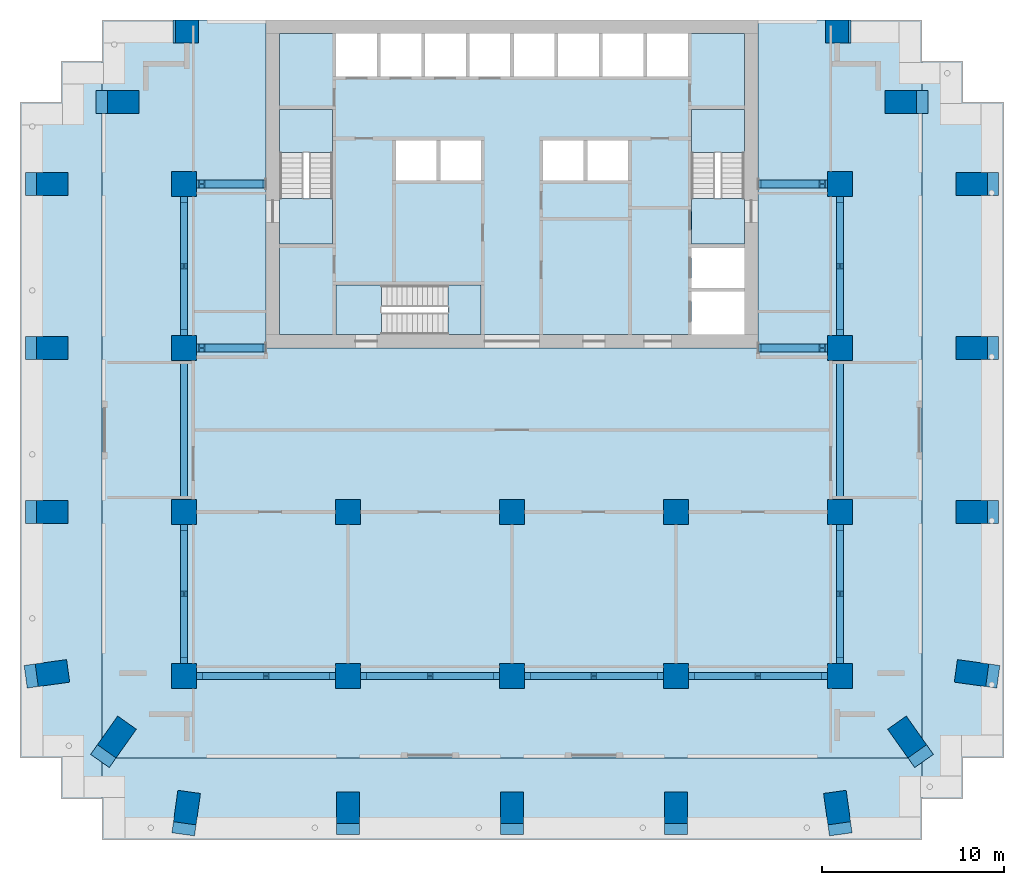
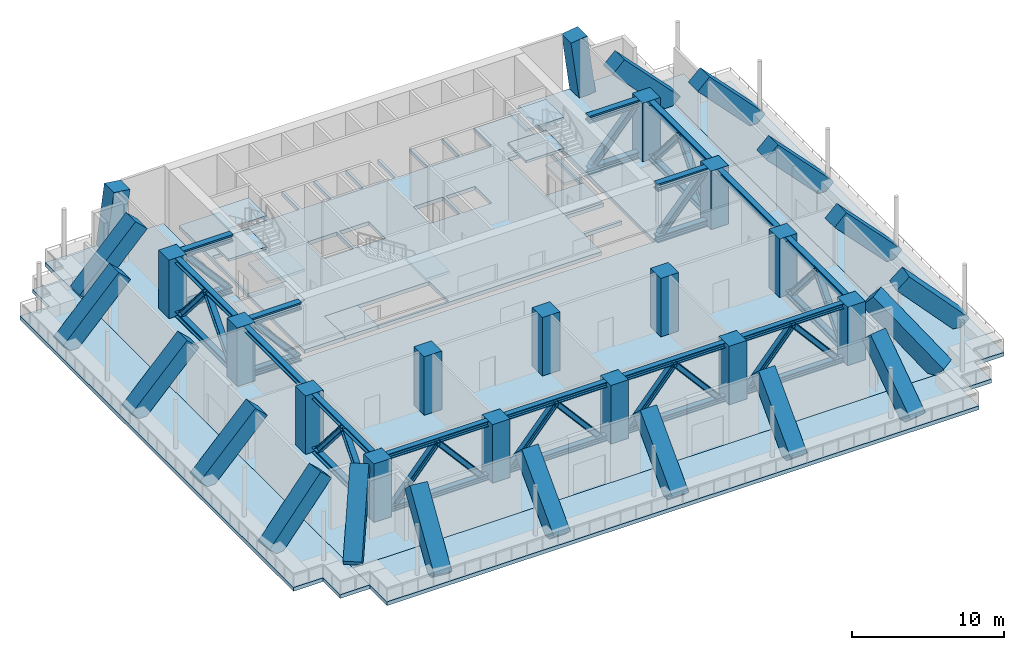
# One storey, part 1 of 9: 46 members, 33 columns, 15 slabs, 3 elements without a shape of their own.
"""IFC4 building model written with IfcOpenShell, lengths in metres."""

from ifc_helpers import new_model, si_unit, direction, frame, origin, origin_2d, place, context, subcontext, project, spatial, polyline, rectangle, i_section, outline, extrude, material, layer, layer_set, material_profile, profile_set, type_object, element, aggregate, save


model = new_model("IFC4")

# Units and contexts
model_context = context("Model", 3, precision=1e-05, world=origin(), true_north=direction((0.0, 1.0)))
body_context = subcontext(model_context, "Body", "Model", "MODEL_VIEW")
ifc_project = project(units=[si_unit("LENGTHUNIT", "METRE"), si_unit("AREAUNIT", "SQUARE_METRE"), si_unit("VOLUMEUNIT", "CUBIC_METRE"), si_unit("PLANEANGLEUNIT", "RADIAN"), si_unit("MASSUNIT", "GRAM", prefix="KILO")], contexts=[model_context])

# Site, building, storey
site_placement = place(None, origin())
site = spatial("IfcSite", under=ifc_project, at=site_placement, CompositionType="ELEMENT")
building_placement = place(site_placement, origin())
building = spatial("IfcBuilding", under=site, at=building_placement, Name="Orbiselva Terraces", CompositionType="ELEMENT")
storey_placement = place(building_placement, frame((0.0, 0.0, 115.0)))
storey = spatial("IfcBuildingStorey", under=building, at=storey_placement, Name="L29", CompositionType="ELEMENT", Elevation=115.0)

# Columns
ifc_material_1 = material(Name="Concrete C70/85", Category="concrete")
ifc_material_profile_1 = material_profile(ifc_material_1, rectangle(XDim=1.35, YDim=1.35, at=origin_2d()), Name="RC 1350x1350")
ifc_profile_set_1 = profile_set([ifc_material_profile_1], Name="Concrete C70/85")
column_type_1 = type_object("IfcColumnType", Name="COLUMN RC 1350x1350", PredefinedType="COLUMN", material=ifc_profile_set_1)
for number, where, z_axis, x_axis, name in (
    (1, (-18.0, -13.5, 0.0), (0.0, 0.0, 1.0), (1.0, 0.0, 0.0), "Column L29-01"),
    (2, (-18.0, -4.5, 0.0), (0.0, 0.0, 1.0), (1.0, 0.0, 0.0), "Column L29-03"),
    (3, (-18.0, 13.5, 0.0), (0.0, 0.0, 1.0), (1.0, 0.0, 0.0), "Column L29-04"),
    (4, (-18.0, 4.5, 0.0), (0.0, 0.0, 1.0), (1.0, 0.0, 0.0), "Column L29-06"),
    (5, (-9.0, -13.5, 0.0), (0.0, 0.0, 1.0), (1.0, 0.0, 0.0), "Column L29-13"),
    (6, (-9.0, -4.5, 0.0), (0.0, 0.0, 1.0), (1.0, 0.0, 0.0), "Column L29-15"),
    (7, (0.0, -13.5, 0.0), (0.0, 0.0, 1.0), (1.0, 0.0, 0.0), "Column L29-16"),
    (8, (0.0, -4.5, 0.0), (0.0, 0.0, 1.0), (1.0, 0.0, 0.0), "Column L29-18"),
    (9, (18.0, -13.5, 0.0), (0.0, 0.0, 1.0), (1.0, 0.0, 0.0), "Column L29-19"),
    (10, (18.0, -4.5, 0.0), (0.0, 0.0, 1.0), (1.0, 0.0, 0.0), "Column L29-21"),
    (11, (18.0, 13.5, 0.0), (0.0, 0.0, 1.0), (1.0, 0.0, 0.0), "Column L29-22"),
    (12, (18.0, 4.5, 0.0), (0.0, 0.0, 1.0), (1.0, 0.0, 0.0), "Column L29-24"),
    (13, (9.0, -13.5, 0.0), (0.0, 0.0, 1.0), (1.0, 0.0, 0.0), "Column L29-31"),
    (14, (9.0, -4.5, 0.0), (0.0, 0.0, 1.0), (1.0, 0.0, 0.0), "Column L29-33"),
):
    element("IfcColumn", number, at=place(storey_placement, frame(where, z_axis=z_axis, x_axis=x_axis)), inside=storey, type_object=column_type_1, Name=name, PredefinedType="COLUMN", context=body_context, shape_type="SweptSolid", body=[
        extrude(rectangle(XDim=1.35, YDim=1.35, at=origin_2d()), origin(), (0.0, 0.0, 1.0), 4.7),
    ])
ifc_material_2 = material(Name="Concrete C60/75", Category="concrete")
ifc_material_profile_2 = material_profile(ifc_material_2, rectangle(XDim=1.25, YDim=1.25, at=origin_2d()), Name="RC 1250x1250")
ifc_profile_set_2 = profile_set([ifc_material_profile_2], Name="Concrete C60/75")
column_type_2 = type_object("IfcColumnType", Name="INCLINED COLUMN RC 1250x1250", PredefinedType="COLUMN", material=ifc_profile_set_2)
column_1_placement = place(storey_placement, frame((-17.98213, -21.746336, 0.134382), z_axis=(0.095611549007, 0.688403152847, 0.718998978335), x_axis=(-0.990492273178, 0.137568371275, 0.0)))
element("IfcColumn", 15, at=column_1_placement, inside=storey, type_object=column_type_2, Name="Inclined column L29-02", PredefinedType="COLUMN", context=body_context, shape_type="SweptSolid", body=[
    extrude(rectangle(XDim=1.25, YDim=1.25, at=origin_2d()), origin(), (0.0, 0.0, 1.0), 6.163063),
])
column_2_placement = place(storey_placement, frame((-18.0, 21.875, 0.0), z_axis=(0.131818336514, 0.0, 0.991273890587), x_axis=(0.0, 1.0, 0.0)))
element("IfcColumn", 16, at=column_2_placement, inside=storey, type_object=column_type_2, Name="Inclined column L29-05", PredefinedType="COLUMN", context=body_context, shape_type="SweptSolid", body=[
    extrude(rectangle(XDim=1.25, YDim=1.25, at=origin_2d()), origin(), (0.0, 0.0, 1.0), 4.741374),
])
column_3_placement = place(storey_placement, frame((-26.246336, -13.48213, 0.134382), z_axis=(0.688403152847, 0.095611549007, 0.718998978335), x_axis=(-0.137568371275, 0.990492273178, 0.0)))
element("IfcColumn", 17, at=column_3_placement, inside=storey, type_object=column_type_2, Name="Inclined column L29-07", PredefinedType="COLUMN", context=body_context, shape_type="SweptSolid", body=[
    extrude(rectangle(XDim=1.25, YDim=1.25, at=origin_2d()), origin(), (0.0, 0.0, 1.0), 6.163063),
])
column_4_placement = place(storey_placement, frame((-22.381246, -17.831953, 0.175516), z_axis=(0.439080622115, 0.62134083522, 0.648955910499), x_axis=(-0.816666126505, 0.57711042082, 0.0)))
element("IfcColumn", 18, at=column_4_placement, inside=storey, type_object=column_type_2, Name="Inclined column L29-08", PredefinedType="COLUMN", context=body_context, shape_type="SweptSolid", body=[
    extrude(rectangle(XDim=1.25, YDim=1.25, at=origin_2d()), origin(), (0.0, 0.0, 1.0), 6.701485),
])
for number, where, z_axis, x_axis, name in (
    (19, (-26.248395, -4.5, 0.132232), (0.691571517203, 0.0, 0.722307992891), (0.0, 1.0, 0.0), "Inclined column L29-09"),
    (20, (-26.248395, 13.5, 0.132232), (0.691571517203, 0.0, 0.722307992891), (0.0, 1.0, 0.0), "Inclined column L29-10"),
    (21, (-22.373395, 18.0, 0.132232), (0.691571517203, 0.0, 0.722307992891), (0.0, 1.0, 0.0), "Inclined column L29-11"),
    (22, (-26.248395, 4.5, 0.132232), (0.691571517203, 0.0, 0.722307992891), (0.0, 1.0, 0.0), "Inclined column L29-12"),
    (23, (-9.0, -21.748395, 0.132232), (0.0, 0.691571517203, 0.722307992891), (-1.0, 0.0, 0.0), "Inclined column L29-14"),
    (24, (0.0, -21.748395, 0.132232), (0.0, 0.691571517203, 0.722307992891), (-1.0, 0.0, 0.0), "Inclined column L29-17"),
):
    element("IfcColumn", number, at=place(storey_placement, frame(where, z_axis=z_axis, x_axis=x_axis)), inside=storey, type_object=column_type_2, Name=name, PredefinedType="COLUMN", context=body_context, shape_type="SweptSolid", body=[
        extrude(rectangle(XDim=1.25, YDim=1.25, at=origin_2d()), origin(), (0.0, 0.0, 1.0), 6.140782),
    ])
column_5_placement = place(storey_placement, frame((17.98213, -21.746336, 0.134382), z_axis=(-0.095611549007, 0.688403152847, 0.718998978335), x_axis=(-0.990492273178, -0.137568371275, 0.0)))
element("IfcColumn", 25, at=column_5_placement, inside=storey, type_object=column_type_2, Name="Inclined column L29-20", PredefinedType="COLUMN", context=body_context, shape_type="SweptSolid", body=[
    extrude(rectangle(XDim=1.25, YDim=1.25, at=origin_2d()), origin(), (0.0, 0.0, 1.0), 6.163063),
])
column_6_placement = place(storey_placement, frame((18.0, 21.875, 0.0), z_axis=(-0.131818336514, 0.0, 0.991273890587), x_axis=(0.0, -1.0, 0.0)))
element("IfcColumn", 26, at=column_6_placement, inside=storey, type_object=column_type_2, Name="Inclined column L29-23", PredefinedType="COLUMN", context=body_context, shape_type="SweptSolid", body=[
    extrude(rectangle(XDim=1.25, YDim=1.25, at=origin_2d()), origin(), (0.0, 0.0, 1.0), 4.741374),
])
column_7_placement = place(storey_placement, frame((26.246336, -13.48213, 0.134382), z_axis=(-0.688403152847, 0.095611549007, 0.718998978335), x_axis=(-0.137568371275, -0.990492273178, 0.0)))
element("IfcColumn", 27, at=column_7_placement, inside=storey, type_object=column_type_2, Name="Inclined column L29-25", PredefinedType="COLUMN", context=body_context, shape_type="SweptSolid", body=[
    extrude(rectangle(XDim=1.25, YDim=1.25, at=origin_2d()), origin(), (0.0, 0.0, 1.0), 6.163063),
])
column_8_placement = place(storey_placement, frame((22.381246, -17.831953, 0.175516), z_axis=(-0.439080622115, 0.62134083522, 0.648955910499), x_axis=(-0.816666126505, -0.57711042082, 0.0)))
element("IfcColumn", 28, at=column_8_placement, inside=storey, type_object=column_type_2, Name="Inclined column L29-26", PredefinedType="COLUMN", context=body_context, shape_type="SweptSolid", body=[
    extrude(rectangle(XDim=1.25, YDim=1.25, at=origin_2d()), origin(), (0.0, 0.0, 1.0), 6.701485),
])
for number, where, z_axis, x_axis, name in (
    (29, (26.248395, -4.5, 0.132232), (-0.691571517203, 0.0, 0.722307992891), (0.0, -1.0, 0.0), "Inclined column L29-27"),
    (30, (26.248395, 13.5, 0.132232), (-0.691571517203, 0.0, 0.722307992891), (0.0, -1.0, 0.0), "Inclined column L29-28"),
    (31, (22.373395, 18.0, 0.132232), (-0.691571517203, 0.0, 0.722307992891), (0.0, -1.0, 0.0), "Inclined column L29-29"),
    (32, (26.248395, 4.5, 0.132232), (-0.691571517203, 0.0, 0.722307992891), (0.0, -1.0, 0.0), "Inclined column L29-30"),
    (33, (9.0, -21.748395, 0.132232), (0.0, 0.691571517203, 0.722307992891), (-1.0, 0.0, 0.0), "Inclined column L29-32"),
):
    element("IfcColumn", number, at=place(storey_placement, frame(where, z_axis=z_axis, x_axis=x_axis)), inside=storey, type_object=column_type_2, Name=name, PredefinedType="COLUMN", context=body_context, shape_type="SweptSolid", body=[
        extrude(rectangle(XDim=1.25, YDim=1.25, at=origin_2d()), origin(), (0.0, 0.0, 1.0), 6.140782),
    ])

# Members
ifc_material_3 = material(Name="Steel ASTM A992 Grade 50", Category="steel")
ifc_material_profile_3 = material_profile(ifc_material_3, i_section(OverallWidth=0.406, OverallDepth=0.417, WebThickness=0.03, FlangeThickness=0.048, FilletRadius=0.0152, at=origin_2d()), Name="W360X382")
ifc_profile_set_3 = profile_set([ifc_material_profile_3], Name="Steel ASTM A992 Grade 50")
member_type_1 = type_object("IfcMemberType", Name="BELT TRUSS CHORD W360X382", PredefinedType="CHORD", material=ifc_profile_set_3)
for number, where, z_axis, x_axis, name in (
    (34, (-17.325, -13.5, 0.2085), (1.0, 0.0, 0.0), (0.0, 1.0, 0.0), "Belt truss L29 south span 1 bottom chord"),
    (35, (-17.325, -13.5, 4.4915), (1.0, 0.0, 0.0), (0.0, 1.0, 0.0), "Belt truss L29 south span 1 top chord"),
    (36, (-8.325, -13.5, 0.2085), (1.0, 0.0, 0.0), (0.0, 1.0, 0.0), "Belt truss L29 south span 2 bottom chord"),
    (37, (-8.325, -13.5, 4.4915), (1.0, 0.0, 0.0), (0.0, 1.0, 0.0), "Belt truss L29 south span 2 top chord"),
    (38, (0.675, -13.5, 0.2085), (1.0, 0.0, 0.0), (0.0, 1.0, 0.0), "Belt truss L29 south span 3 bottom chord"),
    (39, (0.675, -13.5, 4.4915), (1.0, 0.0, 0.0), (0.0, 1.0, 0.0), "Belt truss L29 south span 3 top chord"),
    (40, (9.675, -13.5, 0.2085), (1.0, 0.0, 0.0), (0.0, 1.0, 0.0), "Belt truss L29 south span 4 bottom chord"),
    (41, (9.675, -13.5, 4.4915), (1.0, 0.0, 0.0), (0.0, 1.0, 0.0), "Belt truss L29 south span 4 top chord"),
    (42, (-18.0, -12.825, 0.2085), (0.0, 1.0, 0.0), (-1.0, 0.0, 0.0), "Belt truss L29 west span 1 bottom chord"),
    (43, (-18.0, -12.825, 4.4915), (0.0, 1.0, 0.0), (-1.0, 0.0, 0.0), "Belt truss L29 west span 1 top chord"),
    (44, (-18.0, -3.825, 4.4915), (0.0, 1.0, 0.0), (-1.0, 0.0, 0.0), "Belt truss L29 west span 2 top chord"),
    (45, (-18.0, 5.175, 0.2085), (0.0, 1.0, 0.0), (-1.0, 0.0, 0.0), "Belt truss L29 west span 3 bottom chord"),
    (46, (-18.0, 5.175, 4.4915), (0.0, 1.0, 0.0), (-1.0, 0.0, 0.0), "Belt truss L29 west span 3 top chord"),
    (47, (18.0, -12.825, 0.2085), (0.0, 1.0, 0.0), (-1.0, 0.0, 0.0), "Belt truss L29 east span 1 bottom chord"),
    (48, (18.0, -12.825, 4.4915), (0.0, 1.0, 0.0), (-1.0, 0.0, 0.0), "Belt truss L29 east span 1 top chord"),
    (49, (18.0, -3.825, 4.4915), (0.0, 1.0, 0.0), (-1.0, 0.0, 0.0), "Belt truss L29 east span 2 top chord"),
    (50, (18.0, 5.175, 0.2085), (0.0, 1.0, 0.0), (-1.0, 0.0, 0.0), "Belt truss L29 east span 3 bottom chord"),
    (51, (18.0, 5.175, 4.4915), (0.0, 1.0, 0.0), (-1.0, 0.0, 0.0), "Belt truss L29 east span 3 top chord"),
):
    element("IfcMember", number, at=place(storey_placement, frame(where, z_axis=z_axis, x_axis=x_axis)), inside=storey, type_object=member_type_1, Name=name, PredefinedType="CHORD", context=body_context, shape_type="SweptSolid", body=[
        extrude(i_section(OverallWidth=0.406, OverallDepth=0.417, WebThickness=0.03, FlangeThickness=0.048, FilletRadius=0.0152, at=origin_2d()), origin(), (0.0, 0.0, 1.0), 7.65),
    ])
ifc_material_profile_4 = material_profile(ifc_material_3, i_section(OverallWidth=0.401, OverallDepth=0.399, WebThickness=0.0249, FlangeThickness=0.0396, FilletRadius=0.0153, at=origin_2d()), Name="W360X314")
ifc_profile_set_4 = profile_set([ifc_material_profile_4], Name="Steel ASTM A992 Grade 50")
member_type_2 = type_object("IfcMemberType", Name="BELT TRUSS DIAGONAL W360X314", PredefinedType="BRACE", material=ifc_profile_set_4)
for number, where, z_axis, x_axis, name in (
    (52, (-16.825, -13.5, 0.417), (0.652066324312, 0.0, 0.758161927756), (0.0, 1.0, 0.0), "Belt truss L29 south span 1 diagonal 1"),
    (53, (-13.5, -13.5, 4.283), (0.652066324312, 0.0, -0.758161927756), (0.0, 1.0, 0.0), "Belt truss L29 south span 1 diagonal 2"),
    (54, (-7.825, -13.5, 0.417), (0.652066324312, 0.0, 0.758161927756), (0.0, 1.0, 0.0), "Belt truss L29 south span 2 diagonal 1"),
    (55, (-4.5, -13.5, 4.283), (0.652066324312, 0.0, -0.758161927756), (0.0, 1.0, 0.0), "Belt truss L29 south span 2 diagonal 2"),
    (56, (1.175, -13.5, 0.417), (0.652066324312, 0.0, 0.758161927756), (0.0, 1.0, 0.0), "Belt truss L29 south span 3 diagonal 1"),
    (57, (4.5, -13.5, 4.283), (0.652066324312, 0.0, -0.758161927756), (0.0, 1.0, 0.0), "Belt truss L29 south span 3 diagonal 2"),
    (58, (10.175, -13.5, 0.417), (0.652066324312, 0.0, 0.758161927756), (0.0, 1.0, 0.0), "Belt truss L29 south span 4 diagonal 1"),
    (59, (13.5, -13.5, 4.283), (0.652066324312, 0.0, -0.758161927756), (0.0, 1.0, 0.0), "Belt truss L29 south span 4 diagonal 2"),
    (60, (-18.0, -12.325, 0.417), (0.0, 0.652066324312, 0.758161927756), (-1.0, 0.0, 0.0), "Belt truss L29 west span 1 diagonal 1"),
    (61, (-18.0, -9.0, 4.283), (0.0, 0.652066324312, -0.758161927756), (-1.0, 0.0, 0.0), "Belt truss L29 west span 1 diagonal 2"),
    (62, (-18.0, 5.675, 0.417), (0.0, 0.652066324312, 0.758161927756), (-1.0, 0.0, 0.0), "Belt truss L29 west span 3 diagonal 1"),
    (63, (-18.0, 9.0, 4.283), (0.0, 0.652066324312, -0.758161927756), (-1.0, 0.0, 0.0), "Belt truss L29 west span 3 diagonal 2"),
    (64, (18.0, -12.325, 0.417), (0.0, 0.652066324312, 0.758161927756), (-1.0, 0.0, 0.0), "Belt truss L29 east span 1 diagonal 1"),
    (65, (18.0, -9.0, 4.283), (0.0, 0.652066324312, -0.758161927756), (-1.0, 0.0, 0.0), "Belt truss L29 east span 1 diagonal 2"),
    (66, (18.0, 5.675, 0.417), (0.0, 0.652066324312, 0.758161927756), (-1.0, 0.0, 0.0), "Belt truss L29 east span 3 diagonal 1"),
    (67, (18.0, 9.0, 4.283), (0.0, 0.652066324312, -0.758161927756), (-1.0, 0.0, 0.0), "Belt truss L29 east span 3 diagonal 2"),
):
    element("IfcMember", number, at=place(storey_placement, frame(where, z_axis=z_axis, x_axis=x_axis)), inside=storey, type_object=member_type_2, Name=name, PredefinedType="BRACE", context=body_context, shape_type="SweptSolid", body=[
        extrude(i_section(OverallWidth=0.401, OverallDepth=0.399, WebThickness=0.0249, FlangeThickness=0.0396, FilletRadius=0.0153, at=origin_2d()), origin(), (0.0, 0.0, 1.0), 5.099175),
    ])
ifc_material_profile_5 = material_profile(ifc_material_3, i_section(OverallWidth=0.455, OverallDepth=0.569, WebThickness=0.078, FlangeThickness=0.125, FilletRadius=0.015, at=origin_2d()), Name="W360X1086")
ifc_profile_set_5 = profile_set([ifc_material_profile_5], Name="Steel ASTM A992 Grade 50")
member_type_3 = type_object("IfcMemberType", Name="OUTRIGGER CHORD W360X1086", PredefinedType="CHORD", material=ifc_profile_set_5)
for number, where, z_axis, x_axis, name in (
    (68, (-13.53, 4.5, 4.4155), (-1.0, 0.0, 0.0), (0.0, -1.0, 0.0), "Outrigger truss L29 west grid E top chord"),
    (69, (-13.53, 13.5, 4.4155), (-1.0, 0.0, 0.0), (0.0, -1.0, 0.0), "Outrigger truss L29 west grid F top chord"),
    (70, (13.53, 4.5, 4.4155), (1.0, 0.0, 0.0), (0.0, 1.0, 0.0), "Outrigger truss L29 east grid E top chord"),
    (71, (13.53, 13.5, 4.4155), (1.0, 0.0, 0.0), (0.0, 1.0, 0.0), "Outrigger truss L29 east grid F top chord"),
):
    element("IfcMember", number, at=place(storey_placement, frame(where, z_axis=z_axis, x_axis=x_axis)), inside=storey, type_object=member_type_3, Name=name, PredefinedType="CHORD", context=body_context, shape_type="SweptSolid", body=[
        extrude(i_section(OverallWidth=0.455, OverallDepth=0.569, WebThickness=0.078, FlangeThickness=0.125, FilletRadius=0.015, at=origin_2d()), origin(), (0.0, 0.0, 1.0), 3.795),
    ])
ifc_material_profile_6 = material_profile(ifc_material_3, i_section(OverallWidth=0.432, OverallDepth=0.498, WebThickness=0.0556, FlangeThickness=0.0889, FilletRadius=0.0151, at=origin_2d()), Name="W360X744")
ifc_profile_set_6 = profile_set([ifc_material_profile_6], Name="Steel ASTM A992 Grade 50")
member_type_4 = type_object("IfcMemberType", Name="OUTRIGGER CHORD W360X744", PredefinedType="CHORD", material=ifc_profile_set_6)
for number, where, z_axis, x_axis, name in (
    (72, (-13.53, 4.5, 0.249), (-1.0, 0.0, 0.0), (0.0, -1.0, 0.0), "Outrigger truss L29 west grid E bottom chord"),
    (73, (-13.53, 13.5, 0.249), (-1.0, 0.0, 0.0), (0.0, -1.0, 0.0), "Outrigger truss L29 west grid F bottom chord"),
    (74, (13.53, 4.5, 0.249), (1.0, 0.0, 0.0), (0.0, 1.0, 0.0), "Outrigger truss L29 east grid E bottom chord"),
    (75, (13.53, 13.5, 0.249), (1.0, 0.0, 0.0), (0.0, 1.0, 0.0), "Outrigger truss L29 east grid F bottom chord"),
):
    element("IfcMember", number, at=place(storey_placement, frame(where, z_axis=z_axis, x_axis=x_axis)), inside=storey, type_object=member_type_4, Name=name, PredefinedType="CHORD", context=body_context, shape_type="SweptSolid", body=[
        extrude(i_section(OverallWidth=0.432, OverallDepth=0.498, WebThickness=0.0556, FlangeThickness=0.0889, FilletRadius=0.0151, at=origin_2d()), origin(), (0.0, 0.0, 1.0), 3.795),
    ])
ifc_material_profile_7 = material_profile(ifc_material_3, i_section(OverallWidth=0.422, OverallDepth=0.465, WebThickness=0.045, FlangeThickness=0.0724, FilletRadius=0.015, at=origin_2d()), Name="W360X592")
ifc_profile_set_7 = profile_set([ifc_material_profile_7], Name="Steel ASTM A992 Grade 50")
member_type_5 = type_object("IfcMemberType", Name="OUTRIGGER DIAGONAL W360X592", PredefinedType="BRACE", material=ifc_profile_set_7)
for number, where, z_axis, x_axis, name in (
    (76, (-13.8336, 4.5, 0.498), (-0.659549814523, 0.0, 0.751660855814), (0.0, -1.0, 0.0), "Outrigger truss L29 west grid E diagonal 1"),
    (77, (-13.8336, 13.5, 0.498), (-0.659549814523, 0.0, 0.751660855814), (0.0, -1.0, 0.0), "Outrigger truss L29 west grid F diagonal 1"),
    (78, (13.8336, 4.5, 0.498), (0.659549814523, 0.0, 0.751660855814), (0.0, 1.0, 0.0), "Outrigger truss L29 east grid E diagonal 1"),
    (79, (13.8336, 13.5, 0.498), (0.659549814523, 0.0, 0.751660855814), (0.0, 1.0, 0.0), "Outrigger truss L29 east grid F diagonal 1"),
):
    element("IfcMember", number, at=place(storey_placement, frame(where, z_axis=z_axis, x_axis=x_axis)), inside=storey, type_object=member_type_5, Name=name, PredefinedType="BRACE", context=body_context, shape_type="SweptSolid", body=[
        extrude(i_section(OverallWidth=0.422, OverallDepth=0.465, WebThickness=0.045, FlangeThickness=0.0724, FilletRadius=0.015, at=origin_2d()), origin(), (0.0, 0.0, 1.0), 4.833297),
    ])

# Slabs
ifc_material_4 = material(Name="Concrete C40/50", Category="concrete")
ifc_layer_1 = layer(ifc_material_4, 0.3)
ifc_layer_set_1 = layer_set([ifc_layer_1], Name="Concrete C40/50")
slab_type_1 = type_object("IfcSlabType", Name="CORE-SLAB-FLOOR-300", PredefinedType="FLOOR", material=ifc_layer_set_1)
slab_1_placement = place(storey_placement, frame((0.0, 0.0, -0.3)))
element("IfcSlab", 80, at=slab_1_placement, inside=storey, type_object=slab_type_1, Name="L29 S1 floor landing", PredefinedType="FLOOR", context=body_context, shape_type="SweptSolid", body=[
    extrude(outline(polyline([(-12.75, 12.7), (-9.85, 12.7), (-9.85, 10.2), (-12.75, 10.2), (-12.75, 12.7)])), origin(), (0.0, 0.0, 1.0), 0.3),
])
slab_2_placement = place(storey_placement, frame((0.0, 0.0, -0.3)))
element("IfcSlab", 81, at=slab_2_placement, inside=storey, type_object=slab_type_1, Name="L29 S2 floor landing", PredefinedType="FLOOR", context=body_context, shape_type="SweptSolid", body=[
    extrude(outline(polyline([(12.75, 10.2), (9.85, 10.2), (9.85, 12.7), (12.75, 12.7), (12.75, 10.2)])), origin(), (0.0, 0.0, 1.0), 0.3),
])
slab_3_placement = place(storey_placement, frame((0.0, 0.0, -0.3)))
element("IfcSlab", 82, at=slab_3_placement, inside=storey, type_object=slab_type_1, Name="L29 S3 floor landing", PredefinedType="FLOOR", context=body_context, shape_type="SweptSolid", body=[
    extrude(outline(polyline([(-9.65, 5.25), (-9.65, 7.95), (-7.15, 7.95), (-7.15, 5.25), (-9.65, 5.25)])), origin(), (0.0, 0.0, 1.0), 0.3),
])
slab_4_placement = place(storey_placement, frame((0.0, 0.0, -0.3)))
element("IfcSlab", 83, at=slab_4_placement, inside=storey, type_object=slab_type_1, Name="L29 core floor slab 1", PredefinedType="FLOOR", context=body_context, shape_type="SweptSolid", body=[
    extrude(outline(polyline([(-7.15, 5.25), (-7.15, 5.4), (-1.7, 5.4), (-1.7, 7.95), (-9.65, 7.95), (-9.65, 5.25), (-12.75, 5.25), (-12.75, 10.2), (-9.85, 10.2), (-9.85, 17.6), (-12.6, 17.6), (-12.6, 12.7), (-12.75, 12.7), (-12.75, 21.75), (-9.65, 21.75), (-9.65, 19.4), (-7.4125, 19.4), (-7.4125, 21.75), (-7.2125, 21.75), (-7.2125, 19.4), (-4.975, 19.4), (-4.975, 21.75), (-4.775, 21.75), (-4.775, 19.4), (-2.5375, 19.4), (-2.5375, 21.75), (-2.3375, 21.75), (-2.3375, 19.4), (-0.1, 19.4), (-0.1, 21.75), (0.1, 21.75), (0.1, 19.4), (2.3375, 19.4), (2.3375, 21.75), (2.5375, 21.75), (2.5375, 19.4), (4.775, 19.4), (4.775, 21.75), (4.975, 21.75), (4.975, 19.4), (7.2125, 19.4), (7.2125, 21.75), (7.4125, 21.75), (7.4125, 19.4), (9.65, 19.4), (9.65, 21.75), (12.75, 21.75), (12.75, 12.7), (12.6, 12.7), (12.6, 17.6), (9.85, 17.6), (9.85, 10.2), (12.75, 10.2), (12.75, 10.0), (9.85, 10.0), (9.85, 7.8), (12.75, 7.8), (12.75, 7.6), (9.85, 7.6), (9.85, 5.25), (-7.15, 5.25)]), holes=[polyline([(-4.1375, 13.7), (-4.1375, 15.9), (-6.375, 15.9), (-6.375, 13.7), (-4.1375, 13.7)]), polyline([(-1.7, 13.7), (-1.7, 15.9), (-3.9375, 15.9), (-3.9375, 13.7), (-1.7, 13.7)]), polyline([(3.9375, 13.7), (3.9375, 15.9), (1.7, 15.9), (1.7, 13.7), (3.9375, 13.7)]), polyline([(6.375, 13.7), (6.375, 15.9), (4.1375, 15.9), (4.1375, 13.7), (6.375, 13.7)])]), origin(), (0.0, 0.0, 1.0), 0.3),
])

# Stair, slabs
stair_type_1 = type_object("IfcStairType", Name="CORE-STAIR-1300", PredefinedType="HALF_TURN_STAIR", material=ifc_material_4)
stair_1_placement = place(storey_placement, origin())
stair_1 = element("IfcStair", 84, at=stair_1_placement, inside=storey, type_object=stair_type_1, Name="L29 Exit Stair S1", PredefinedType="HALF_TURN_STAIR")
ifc_layer_2 = layer(ifc_material_4, 0.2)
ifc_layer_set_2 = layer_set([ifc_layer_2], Name="Concrete C40/50")
slab_type_2 = type_object("IfcSlabType", Name="CORE-STAIR-LANDING-200", PredefinedType="LANDING", material=ifc_layer_set_2)
slab_5_placement = place(storey_placement, frame((0.0, 0.0, 1.05)))
slab_5 = element("IfcSlab", 85, at=slab_5_placement, type_object=slab_type_2, Name="S1 landing 1", PredefinedType="LANDING", context=body_context, shape_type="SweptSolid", body=[
    extrude(outline(polyline([(-9.85, 15.22), (-9.85, 17.6), (-12.75, 17.6), (-12.75, 15.22), (-9.85, 15.22)])), origin(), (0.0, 0.0, 1.0), 0.2),
])
slab_6_placement = place(storey_placement, frame((0.0, 0.0, 2.3)))
slab_6 = element("IfcSlab", 86, at=slab_6_placement, type_object=slab_type_2, Name="S1 landing 2", PredefinedType="LANDING", context=body_context, shape_type="SweptSolid", body=[
    extrude(outline(polyline([(-9.85, 10.2), (-9.85, 12.7), (-12.75, 12.7), (-12.75, 10.2), (-9.85, 10.2)])), origin(), (0.0, 0.0, 1.0), 0.2),
])
slab_7_placement = place(storey_placement, frame((0.0, 0.0, 3.55)))
slab_7 = element("IfcSlab", 87, at=slab_7_placement, type_object=slab_type_2, Name="S1 landing 3", PredefinedType="LANDING", context=body_context, shape_type="SweptSolid", body=[
    extrude(outline(polyline([(-9.85, 15.22), (-9.85, 17.6), (-12.75, 17.6), (-12.75, 15.22), (-9.85, 15.22)])), origin(), (0.0, 0.0, 1.0), 0.2),
])
aggregate(stair_1, [slab_5, slab_6, slab_7])

stair_2_placement = place(storey_placement, origin())
stair_2 = element("IfcStair", 88, at=stair_2_placement, inside=storey, type_object=stair_type_1, Name="L29 Exit Stair S2", PredefinedType="HALF_TURN_STAIR")
slab_8_placement = place(storey_placement, frame((0.0, 0.0, 1.05)))
slab_8 = element("IfcSlab", 89, at=slab_8_placement, type_object=slab_type_2, Name="S2 landing 1", PredefinedType="LANDING", context=body_context, shape_type="SweptSolid", body=[
    extrude(outline(polyline([(12.75, 15.22), (12.75, 17.6), (9.85, 17.6), (9.85, 15.22), (12.75, 15.22)])), origin(), (0.0, 0.0, 1.0), 0.2),
])
slab_9_placement = place(storey_placement, frame((0.0, 0.0, 2.3)))
slab_9 = element("IfcSlab", 90, at=slab_9_placement, type_object=slab_type_2, Name="S2 landing 2", PredefinedType="LANDING", context=body_context, shape_type="SweptSolid", body=[
    extrude(outline(polyline([(12.75, 10.2), (12.75, 12.7), (9.85, 12.7), (9.85, 10.2), (12.75, 10.2)])), origin(), (0.0, 0.0, 1.0), 0.2),
])
slab_10_placement = place(storey_placement, frame((0.0, 0.0, 3.55)))
slab_10 = element("IfcSlab", 91, at=slab_10_placement, type_object=slab_type_2, Name="S2 landing 3", PredefinedType="LANDING", context=body_context, shape_type="SweptSolid", body=[
    extrude(outline(polyline([(12.75, 15.22), (12.75, 17.6), (9.85, 17.6), (9.85, 15.22), (12.75, 15.22)])), origin(), (0.0, 0.0, 1.0), 0.2),
])
aggregate(stair_2, [slab_8, slab_9, slab_10])

# Stair, slab
stair_type_2 = type_object("IfcStairType", Name="CORE-STAIR-1200", PredefinedType="HALF_TURN_STAIR", material=ifc_material_4)
stair_3_placement = place(storey_placement, origin())
stair_3 = element("IfcStair", 92, at=stair_3_placement, inside=storey, type_object=stair_type_2, Name="L29 Exit Stair S3", PredefinedType="HALF_TURN_STAIR")
slab_11_placement = place(storey_placement, frame((0.0, 0.0, 2.3)))
slab_11 = element("IfcSlab", 93, at=slab_11_placement, type_object=slab_type_2, Name="S3 landing 1", PredefinedType="LANDING", context=body_context, shape_type="SweptSolid", body=[
    extrude(outline(polyline([(-3.51, 5.25), (-1.7, 5.25), (-1.7, 7.95), (-3.51, 7.95), (-3.51, 5.25)])), origin(), (0.0, 0.0, 1.0), 0.2),
])
aggregate(stair_3, [slab_11])

# Slabs
ifc_material_5 = material(Name="Concrete C50/60", Category="concrete")
ifc_layer_3 = layer(ifc_material_5, 0.3)
ifc_layer_set_3 = layer_set([ifc_layer_3], Name="Concrete C50/60")
slab_type_3 = type_object("IfcSlabType", Name="FLOOR SLAB 300", PredefinedType="FLOOR", material=ifc_layer_set_3)
slab_12_placement = place(storey_placement, frame((0.0, 0.0, -0.3)))
element("IfcSlab", 94, at=slab_12_placement, inside=storey, type_object=slab_type_3, Name="Floor slab L29", PredefinedType="FLOOR", context=body_context, shape_type="SweptSolid", body=[
    extrude(outline(polyline([(22.5, 22.5), (22.5, -18.0), (-22.5, -18.0), (-22.5, 22.5), (-13.5, 22.5), (-13.5, 4.5), (13.5, 4.5), (13.5, 22.5), (22.5, 22.5)])), origin(), (0.0, 0.0, 1.0), 0.3),
])
ifc_layer_4 = layer(ifc_material_5, 0.3)
ifc_layer_set_4 = layer_set([ifc_layer_4], Name="Concrete C50/60")
slab_type_4 = type_object("IfcSlabType", Name="RING TERRACE SLAB 300", PredefinedType="FLOOR", material=ifc_layer_set_4)
slab_13_placement = place(storey_placement, frame((0.0, 0.0, -0.3)))
element("IfcSlab", 95, at=slab_13_placement, inside=storey, type_object=slab_type_4, Name="Ring terrace slab L29 part 1", PredefinedType="FLOOR", context=body_context, shape_type="SweptSolid", body=[
    extrude(outline(polyline([(-22.5, -20.25), (-22.5, 20.25), (-24.75, 20.25), (-24.75, 18.0), (-27.0, 18.0), (-27.0, -18.0), (-24.75, -18.0), (-24.75, -20.25), (-22.5, -20.25)])), origin(), (0.0, 0.0, 1.0), 0.3),
])
slab_14_placement = place(storey_placement, frame((0.0, 0.0, -0.3)))
element("IfcSlab", 96, at=slab_14_placement, inside=storey, type_object=slab_type_4, Name="Ring terrace slab L29 part 2", PredefinedType="FLOOR", context=body_context, shape_type="SweptSolid", body=[
    extrude(outline(polyline([(22.5, -20.25), (24.75, -20.25), (24.75, -18.0), (27.0, -18.0), (27.0, 18.0), (24.75, 18.0), (24.75, 20.25), (22.5, 20.25), (22.5, -20.25)])), origin(), (0.0, 0.0, 1.0), 0.3),
])
slab_15_placement = place(storey_placement, frame((0.0, 0.0, -0.3)))
element("IfcSlab", 97, at=slab_15_placement, inside=storey, type_object=slab_type_4, Name="Ring terrace slab L29 part 3", PredefinedType="FLOOR", context=body_context, shape_type="SweptSolid", body=[
    extrude(outline(polyline([(22.5, -18.0), (-22.5, -18.0), (-22.5, -22.5), (22.5, -22.5), (22.5, -18.0)])), origin(), (0.0, 0.0, 1.0), 0.3),
])

save(model, "model.ifc")
